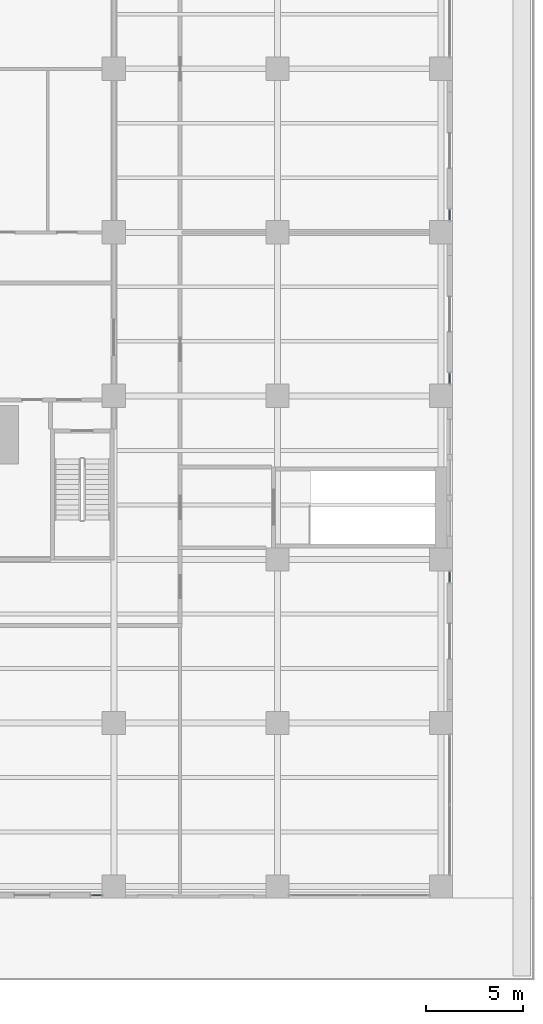
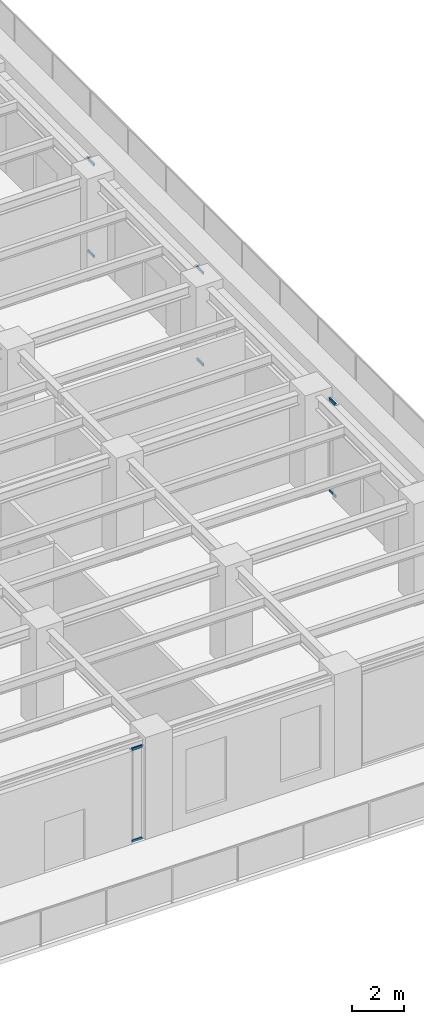
# One storey, part 19 of 53: 8 members, 4 elements without a shape of their own.
"""IFC4 building model written with IfcOpenShell, lengths in metres."""

import ifcopenshell
import ifcopenshell.guid

model = None  # the IFC model being written
_history = None  # IfcOwnerHistory: only IFC2X3 demands one
_inside = {}  # id of a spatial element -> (the spatial element, [elements in it])
_under = {}  # id of a project, library or spatial element -> (it, [spatial elements below it])
_declared = {}  # id of a project -> (the project, [libraries it declares])
_typed = {}  # id of a type object -> (the type object, [elements of that type])
_made_of = {}  # id of a material, layer set ... -> (it, [elements and type objects made of it])


def new_model(schema):
    """Start an empty IFC model of exactly this schema.

    Asked for "IFC4X3", IfcOpenShell would pick the latest addendum, in which some entities
    have other attributes; the version numbers below select the first issue.
    IFC2X3 requires an IfcOwnerHistory on every rooted entity: one is made here for all.
    """
    global model, _history
    if schema == "IFC4X3":
        model = ifcopenshell.file(schema_version=(4, 3, 0, 0))
    else:
        model = ifcopenshell.file(schema=schema)
    _inside.clear()
    _under.clear()
    _declared.clear()
    _typed.clear()
    _made_of.clear()
    _history = None
    if model.schema == "IFC2X3":
        org = make("IfcOrganization", Name="unknown")
        user = make(
            "IfcPersonAndOrganization",
            ThePerson=make("IfcPerson", FamilyName="unknown"),
            TheOrganization=org,
        )
        app = make(
            "IfcApplication",
            ApplicationDeveloper=org,
            Version="unknown",
            ApplicationFullName="unknown",
            ApplicationIdentifier="unknown",
        )
        _history = make(
            "IfcOwnerHistory",
            OwningUser=user,
            OwningApplication=app,
            ChangeAction="ADDED",
            CreationDate=0,
        )
    return model


def make(cls, **values):
    """One entity of the class cls with the attributes given. An attribute that is None is left unset."""
    return model.create_entity(
        cls, **{name: value for name, value in values.items() if value is not None}
    )


def rooted(cls, **values):
    """An entity with a GlobalId (a new one), such as an element, a storey or a relation."""
    return make(cls, GlobalId=ifcopenshell.guid.new(), OwnerHistory=_history, **values)


def si_unit(unit_type, name, prefix=None):
    """IfcSIUnit, for example si_unit("LENGTHUNIT", "METRE", prefix="MILLI")."""
    return make("IfcSIUnit", UnitType=unit_type, Prefix=prefix, Name=name)


def assignment(units):
    """IfcUnitAssignment: the units of a project."""
    return None if units is None else make("IfcUnitAssignment", Units=units)


def point(xyz):
    """IfcCartesianPoint."""
    return None if xyz is None else make("IfcCartesianPoint", Coordinates=xyz)


def direction(xyz):
    """IfcDirection."""
    return None if xyz is None else make("IfcDirection", DirectionRatios=xyz)


def frame(location, z_axis=None, x_axis=None):
    """IfcAxis2Placement3D, a coordinate frame: its origin and axes. An axis left out is left unset."""
    return make(
        "IfcAxis2Placement3D",
        Location=point(location),
        Axis=direction(z_axis),
        RefDirection=direction(x_axis),
    )


def frame_2d(location, x_axis=None):
    """IfcAxis2Placement2D, a coordinate frame in the plane: its origin and x axis."""
    return make(
        "IfcAxis2Placement2D", Location=point(location), RefDirection=direction(x_axis)
    )


def origin():
    """The frame at (0, 0, 0) with its axes left unset."""
    return frame((0.0, 0.0, 0.0))


def origin_2d():
    """The frame at (0, 0) in the plane with its x axis left unset."""
    return frame_2d((0.0, 0.0))


def place(relative_to, where):
    """IfcLocalPlacement: puts the frame where relative to a parent placement (None: the world)."""
    return make(
        "IfcLocalPlacement", PlacementRelTo=relative_to, RelativePlacement=where
    )


def context(
    kind, dimensions, precision=None, world=None, true_north=None, identifier=None
):
    """IfcGeometricRepresentationContext, for example the 3D "Model" context."""
    return make(
        "IfcGeometricRepresentationContext",
        ContextIdentifier=identifier,
        ContextType=kind,
        CoordinateSpaceDimension=dimensions,
        Precision=precision,
        WorldCoordinateSystem=world,
        TrueNorth=true_north,
    )


def subcontext(parent, identifier, kind, view, scale=None):
    """IfcGeometricRepresentationSubContext, for example "Body" below "Model"."""
    return make(
        "IfcGeometricRepresentationSubContext",
        ContextIdentifier=identifier,
        ContextType=kind,
        ParentContext=parent,
        TargetScale=scale,
        TargetView=view,
    )


def project(units=None, contexts=None):
    """IfcProject with its units and contexts."""
    return rooted(
        "IfcProject",
        Name="project",
        RepresentationContexts=contexts,
        UnitsInContext=assignment(units),
    )


def spatial(cls, under=None, at=None, **own):
    """A site, building, storey or space (cls), placed at a placement, below another one or the project."""
    s = rooted(cls, ObjectPlacement=at, **own)
    if under is not None:
        _under.setdefault(under.id(), (under, []))[1].append(s)
    return s


def profile(cls, at=None, kind="AREA", **sizes):
    """A parametric profile (cls). Its sizes go by their IFC names, for example OverallWidth=200.0."""
    return make(cls, ProfileType=kind, Position=at, **sizes)


def rectangle(**sizes):
    """IfcRectangleProfileDef."""
    return profile("IfcRectangleProfileDef", **sizes)


def extrude(swept, where, along, depth):
    """IfcExtrudedAreaSolid: the profile swept, set in the frame where, extruded along a direction by depth."""
    return make(
        "IfcExtrudedAreaSolid",
        SweptArea=swept,
        Position=where,
        ExtrudedDirection=direction(along),
        Depth=depth,
    )


def shape(context_of_items, identifier, shape_type, items):
    """IfcShapeRepresentation: the items that make up one representation, for example the "Body"."""
    return make(
        "IfcShapeRepresentation",
        ContextOfItems=context_of_items,
        RepresentationIdentifier=identifier,
        RepresentationType=shape_type,
        Items=items,
    )


def material(Name=None, Category=None):
    """IfcMaterial."""
    return make("IfcMaterial", Name=Name, Category=Category)


def material_profile(
    of_material, cross_section, Name=None, Category=None, Priority=None
):
    """IfcMaterialProfile: a cross section and its material."""
    return make(
        "IfcMaterialProfile",
        Name=Name,
        Material=of_material,
        Profile=cross_section,
        Priority=Priority,
        Category=Category,
    )


def profile_set(profiles, Name=None, composite=None):
    """IfcMaterialProfileSet."""
    return make(
        "IfcMaterialProfileSet",
        Name=Name,
        MaterialProfiles=profiles,
        CompositeProfile=composite,
    )


def made_of(thing, what):
    """Note that an element or type object is made of a material, layer set ...; save() writes the relation."""
    if what is not None:
        _made_of.setdefault(what.id(), (what, []))[1].append(thing)
    return thing


def type_object(cls, material=None, **own):
    """A type object (cls), such as IfcWallType, which elements share."""
    return made_of(rooted(cls, **own), material)


def element(
    cls,
    number,
    at=None,
    inside=None,
    cuts=None,
    type_object=None,
    material=None,
    context=None,
    identifier="Body",
    shape_type=None,
    held_by="IfcProductDefinitionShape",
    body=None,
    shapes=None,
    **own,
):
    """One element of the class cls, such as IfcWall. Its Tag is "e" and its number.

    at: its placement. inside: the storey or other place that contains it. cuts: it is an
    opening in that element (IfcRelVoidsElement). A single representation is given by context,
    identifier, shape_type and body (its items); several are given by shapes. held_by: the class
    of the entity that holds the representations. save() writes the other relations.
    """
    e = rooted(cls, Tag="e%d" % number, ObjectPlacement=at, **own)
    if body is not None:
        shapes = [shape(context, identifier, shape_type, body)]
    if shapes is not None:
        e.Representation = make(held_by, Representations=shapes)
    if inside is not None:
        _inside.setdefault(inside.id(), (inside, []))[1].append(e)
    if cuts is not None:
        rooted(
            "IfcRelVoidsElement", RelatingBuildingElement=cuts, RelatedOpeningElement=e
        )
    if type_object is not None:
        _typed.setdefault(type_object.id(), (type_object, []))[1].append(e)
    return made_of(e, material)


def aggregate(whole, parts):
    """IfcRelAggregates: a whole, such as a stair, and the parts it consists of."""
    return rooted("IfcRelAggregates", RelatingObject=whole, RelatedObjects=parts)


def save(model, path):
    """Write the relations noted so far, then the file.

    IfcRelAggregates (storeys below a building ...), IfcRelContainedInSpatialStructure (elements
    in a storey), IfcRelDefinesByType, IfcRelAssociatesMaterial and IfcRelDeclares: one each for
    every whole, place, type object, material and project.
    """
    for whole, parts in _under.values():
        aggregate(whole, parts)
    for where, things in _inside.values():
        rooted(
            "IfcRelContainedInSpatialStructure",
            RelatedElements=things,
            RelatingStructure=where,
        )
    for kind, things in _typed.values():
        rooted("IfcRelDefinesByType", RelatedObjects=things, RelatingType=kind)
    for what, things in _made_of.values():
        rooted("IfcRelAssociatesMaterial", RelatedObjects=things, RelatingMaterial=what)
    for by, libraries in _declared.values():
        rooted("IfcRelDeclares", RelatingContext=by, RelatedDefinitions=libraries)
    model.write(path)


model = new_model("IFC4")

# Units and contexts
model_context = context("Model", 3, precision=1e-05, world=origin(), true_north=direction((0.0, 1.0)))
body_context = subcontext(model_context, "Body", "Model", "MODEL_VIEW")
ifc_project = project(units=[si_unit("LENGTHUNIT", "METRE"), si_unit("AREAUNIT", "SQUARE_METRE"), si_unit("VOLUMEUNIT", "CUBIC_METRE"), si_unit("PLANEANGLEUNIT", "RADIAN"), si_unit("MASSUNIT", "GRAM", prefix="KILO")], contexts=[model_context])

# Site, building, storey
site_placement = place(None, origin())
site = spatial("IfcSite", under=ifc_project, at=site_placement, CompositionType="ELEMENT")
building_placement = place(site_placement, origin())
building = spatial("IfcBuilding", under=site, at=building_placement, Name="Khepri Terraces", CompositionType="ELEMENT")
storey_placement = place(building_placement, frame((0.0, 0.0, 7.199951171875)))
storey = spatial("IfcBuildingStorey", under=building, at=storey_placement, Name="L01", CompositionType="ELEMENT", Elevation=7.199951171875)

# Curtain wall, members
ifc_material_1 = material(Name="Anodised aluminium bronze curtain wall", Category="aluminium")
curtain_wall_type = type_object("IfcCurtainWallType", Name="CW-SYS2-PODIUM", PredefinedType="NOTDEFINED", material=ifc_material_1)
curtain_wall_1_placement = place(storey_placement, origin())
curtain_wall_1 = element("IfcCurtainWall", 1, at=curtain_wall_1_placement, inside=storey, type_object=curtain_wall_type, Name="Curtain wall CW2 L01 S", PredefinedType="NOTDEFINED")
ifc_material_2 = material(Name="Anodised aluminium bronze", Category="aluminium")
ifc_material_profile = material_profile(ifc_material_2, rectangle(XDim=0.06005859375, YDim=0.1201171875, at=origin_2d()), Name="Anodised aluminium bronze", Category="aluminium")
ifc_profile_set = profile_set([ifc_material_profile], Name="Anodised aluminium bronze")
member_type = type_object("IfcMemberType", Name="CW-TRANSOM-60x120", PredefinedType="USERDEFINED", material=ifc_profile_set)
member_1_placement = place(storey_placement, frame((24.06005859375, -42.449951171875, 0.030029296875), z_axis=(1.0, 0.0, 0.0), x_axis=(0.0, 1.0, 0.0)))
member_1 = element("IfcMember", 2, at=member_1_placement, type_object=member_type, Name="CW2 transom 1.1", ObjectType="TRANSOM", PredefinedType="USERDEFINED", context=body_context, shape_type="SweptSolid", body=[
    extrude(rectangle(XDim=0.06005859375, YDim=0.1201171875, at=origin_2d()), origin(), (0.0, 0.0, 1.0), 0.47998046875),
])
member_2_placement = place(storey_placement, frame((24.06005859375, -42.449951171875, 4.35009765625), z_axis=(1.0, 0.0, 0.0), x_axis=(0.0, 1.0, 0.0)))
member_2 = element("IfcMember", 3, at=member_2_placement, type_object=member_type, Name="CW2 transom 1.2", ObjectType="TRANSOM", PredefinedType="USERDEFINED", context=body_context, shape_type="SweptSolid", body=[
    extrude(rectangle(XDim=0.06005859375, YDim=0.1201171875, at=origin_2d()), origin(), (0.0, 0.0, 1.0), 0.47998046875),
])
aggregate(curtain_wall_1, [member_1, member_2])

curtain_wall_2_placement = place(storey_placement, origin())
curtain_wall_2 = element("IfcCurtainWall", 4, at=curtain_wall_2_placement, inside=storey, type_object=curtain_wall_type, Name="Curtain wall CW2 L01 E", PredefinedType="NOTDEFINED")
member_3_placement = place(storey_placement, frame((42.449951171875, -26.340087890625, 0.030029296875), z_axis=(0.0, 1.0, 0.0), x_axis=(-1.0, 0.0, 0.0)))
member_3 = element("IfcMember", 5, at=member_3_placement, type_object=member_type, Name="CW2 transom 1.1", ObjectType="TRANSOM", PredefinedType="USERDEFINED", context=body_context, shape_type="SweptSolid", body=[
    extrude(rectangle(XDim=0.06005859375, YDim=0.1201171875, at=origin_2d()), origin(), (0.0, 0.0, 1.0), 0.47998046875),
])
member_4_placement = place(storey_placement, frame((42.449951171875, -26.340087890625, 4.35009765625), z_axis=(0.0, 1.0, 0.0), x_axis=(-1.0, 0.0, 0.0)))
member_4 = element("IfcMember", 6, at=member_4_placement, type_object=member_type, Name="CW2 transom 1.2", ObjectType="TRANSOM", PredefinedType="USERDEFINED", context=body_context, shape_type="SweptSolid", body=[
    extrude(rectangle(XDim=0.06005859375, YDim=0.1201171875, at=origin_2d()), origin(), (0.0, 0.0, 1.0), 0.47998046875),
])
aggregate(curtain_wall_2, [member_3, member_4])

curtain_wall_3_placement = place(storey_placement, origin())
curtain_wall_3 = element("IfcCurtainWall", 7, at=curtain_wall_3_placement, inside=storey, type_object=curtain_wall_type, Name="Curtain wall CW2 L01 E", PredefinedType="NOTDEFINED")
member_5_placement = place(storey_placement, frame((42.449951171875, -16.139892578125, 0.030029296875), z_axis=(0.0, 1.0, 0.0), x_axis=(-1.0, 0.0, 0.0)))
member_5 = element("IfcMember", 8, at=member_5_placement, type_object=member_type, Name="CW2 transom 1.1", ObjectType="TRANSOM", PredefinedType="USERDEFINED", context=body_context, shape_type="SweptSolid", body=[
    extrude(rectangle(XDim=0.06005859375, YDim=0.1201171875, at=origin_2d()), origin(), (0.0, 0.0, 1.0), 0.47998046875),
])
member_6_placement = place(storey_placement, frame((42.449951171875, -16.139892578125, 4.35009765625), z_axis=(0.0, 1.0, 0.0), x_axis=(-1.0, 0.0, 0.0)))
member_6 = element("IfcMember", 9, at=member_6_placement, type_object=member_type, Name="CW2 transom 1.2", ObjectType="TRANSOM", PredefinedType="USERDEFINED", context=body_context, shape_type="SweptSolid", body=[
    extrude(rectangle(XDim=0.06005859375, YDim=0.1201171875, at=origin_2d()), origin(), (0.0, 0.0, 1.0), 0.47998046875),
])
aggregate(curtain_wall_3, [member_5, member_6])

curtain_wall_4_placement = place(storey_placement, origin())
curtain_wall_4 = element("IfcCurtainWall", 10, at=curtain_wall_4_placement, inside=storey, type_object=curtain_wall_type, Name="Curtain wall CW2 L01 E", PredefinedType="NOTDEFINED")
member_7_placement = place(storey_placement, frame((42.449951171875, -7.739990234375, 0.030029296875), z_axis=(0.0, 1.0, 0.0), x_axis=(-1.0, 0.0, 0.0)))
member_7 = element("IfcMember", 11, at=member_7_placement, type_object=member_type, Name="CW2 transom 1.1", ObjectType="TRANSOM", PredefinedType="USERDEFINED", context=body_context, shape_type="SweptSolid", body=[
    extrude(rectangle(XDim=0.06005859375, YDim=0.1201171875, at=origin_2d()), origin(), (0.0, 0.0, 1.0), 0.47998046875),
])
member_8_placement = place(storey_placement, frame((42.449951171875, -7.739990234375, 4.35009765625), z_axis=(0.0, 1.0, 0.0), x_axis=(-1.0, 0.0, 0.0)))
member_8 = element("IfcMember", 12, at=member_8_placement, type_object=member_type, Name="CW2 transom 1.2", ObjectType="TRANSOM", PredefinedType="USERDEFINED", context=body_context, shape_type="SweptSolid", body=[
    extrude(rectangle(XDim=0.06005859375, YDim=0.1201171875, at=origin_2d()), origin(), (0.0, 0.0, 1.0), 0.47998046875),
])
aggregate(curtain_wall_4, [member_7, member_8])

save(model, "model.ifc")
